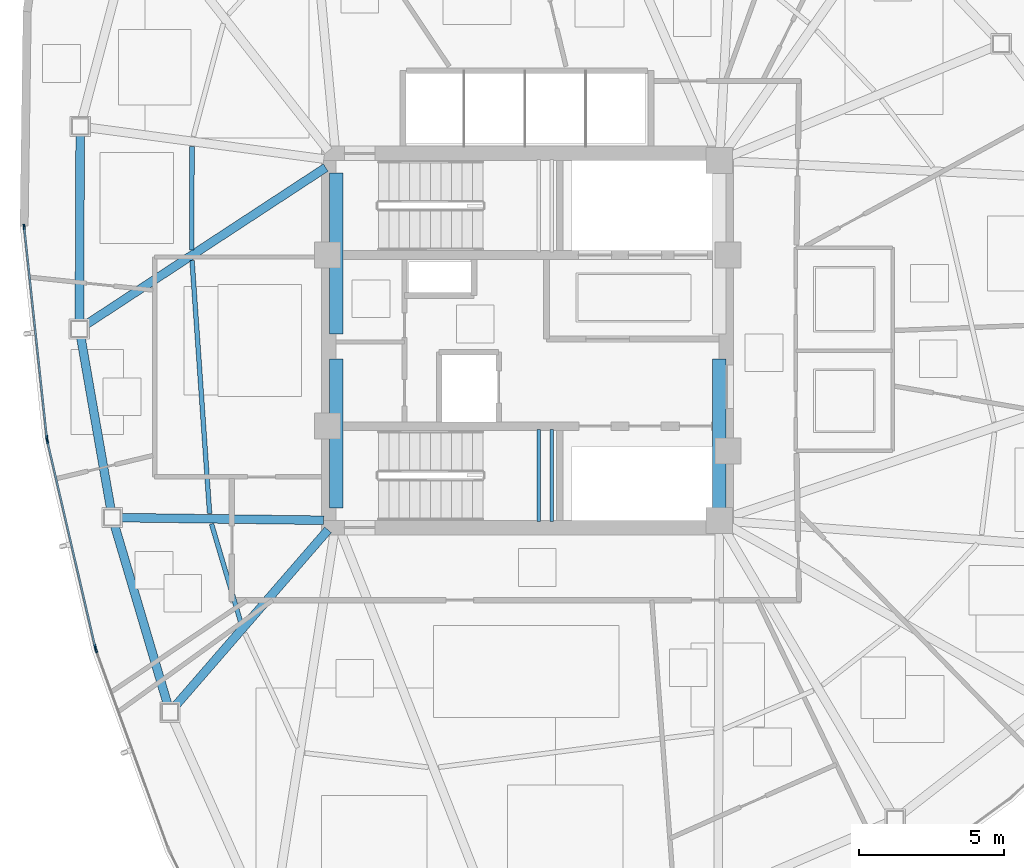
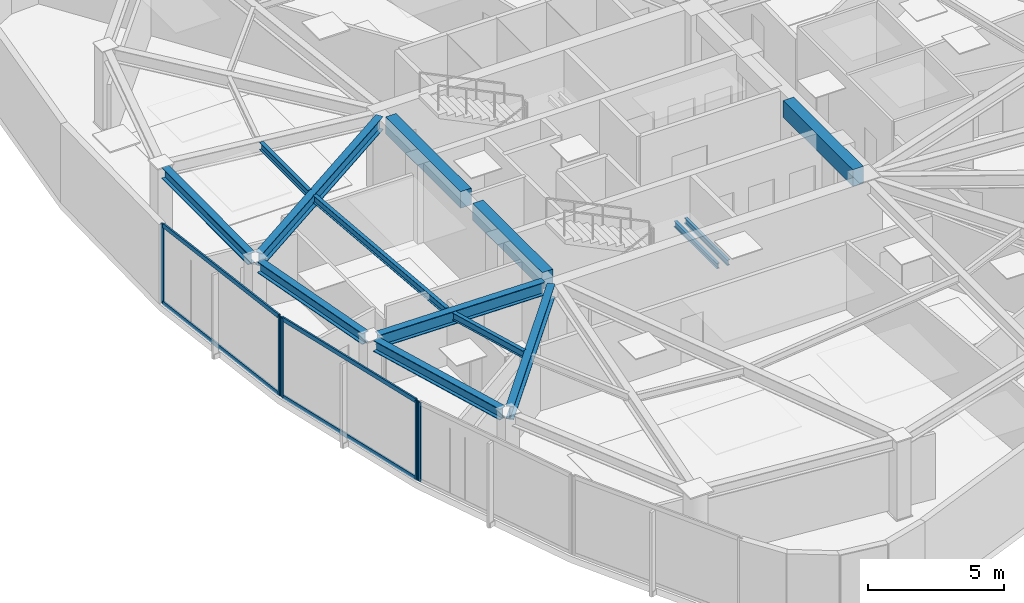
# One storey, part 4 of 17: 14 beams, 9 members, 3 elements without a shape of their own.
"""IFC4 building model written with IfcOpenShell, lengths in metres."""

from ifc_helpers import new_model, si_unit, direction, frame, origin, origin_2d, place, context, subcontext, project, spatial, rectangle, hollow_rectangle, i_section, extrude, source, transform, mapped, material, layer, layer_set, material_profile, profile_set, type_object, type_shapes, element, aggregate, save


model = new_model("IFC4")

# Units and contexts
model_context = context("Model", 3, precision=1e-05, world=origin(), true_north=direction((0.0, 1.0)))
body_context = subcontext(model_context, "Body", "Model", "MODEL_VIEW")
ifc_project = project(units=[si_unit("LENGTHUNIT", "METRE"), si_unit("AREAUNIT", "SQUARE_METRE"), si_unit("VOLUMEUNIT", "CUBIC_METRE"), si_unit("PLANEANGLEUNIT", "RADIAN"), si_unit("MASSUNIT", "GRAM", prefix="KILO")], contexts=[model_context])

# Site, building, storey
site_placement = place(None, origin())
site = spatial("IfcSite", under=ifc_project, at=site_placement, CompositionType="ELEMENT")
building_placement = place(site_placement, origin())
building = spatial("IfcBuilding", under=site, at=building_placement, Name="Tavelor Broadcast Tower", CompositionType="ELEMENT")
storey_placement = place(building_placement, frame((0.0, 0.0, 200.300048828125)))
storey = spatial("IfcBuildingStorey", under=building, at=storey_placement, Name="L48", CompositionType="ELEMENT", Elevation=200.300048828125)

# Beams
ifc_material_1 = material(Name="Concrete C40/50", Category="concrete")
ifc_material_profile_1 = material_profile(ifc_material_1, rectangle(XDim=0.449951171875, YDim=0.75, at=origin_2d()), Name="RC 450x750")
ifc_profile_set_1 = profile_set([ifc_material_profile_1], Name="Concrete C40/50")
beam_type_1 = type_object("IfcBeamType", Name="Basement Core Trim Beam 450x750", PredefinedType="BEAM", material=ifc_profile_set_1)
beam_1_placement = place(storey_placement, frame((43.39990234375, 45.23193359375, 3.175048828125), z_axis=(0.0, 1.0, 0.0), x_axis=(-1.0, 0.0, 0.0)))
element("IfcBeam", 1, at=beam_1_placement, inside=storey, type_object=beam_type_1, Name="L48 Core West-N Tie Girder", PredefinedType="BEAM", context=body_context, shape_type="SweptSolid", body=[
    extrude(rectangle(XDim=0.449951171875, YDim=0.75, at=origin_2d()), origin(), (0.0, 0.0, 1.0), 5.5361328125),
])
for number, where, z_axis, x_axis, name in (
    (2, (43.39990234375, 39.23193359375, 3.175048828125), (0.0, 1.0, 0.0), (-1.0, 0.0, 0.0), "L48 Core West-S Tie Girder"),
    (3, (56.60009765625, 39.23193359375, 3.175048828125), (0.0, 1.0, 0.0), (-1.0, 0.0, 0.0), "L48 Core East-S Tie Girder"),
):
    element("IfcBeam", number, at=place(storey_placement, frame(where, z_axis=z_axis, x_axis=x_axis)), inside=storey, type_object=beam_type_1, Name=name, PredefinedType="BEAM", context=body_context, shape_type="SweptSolid", body=[
        extrude(rectangle(XDim=0.449951171875, YDim=0.75, at=origin_2d()), origin(), (0.0, 0.0, 1.0), 5.135986328125),
    ])
ifc_material_2 = material(Name="Steel S355", Category="steel")
ifc_material_profile_2 = material_profile(ifc_material_2, i_section(OverallWidth=0.159912109375, OverallDepth=0.330078125, WebThickness=0.007568359375, FlangeThickness=0.011474609375, at=origin_2d()), Name="IPE 330")
ifc_profile_set_2 = profile_set([ifc_material_profile_2], Name="Steel S355")
beam_type_2 = type_object("IfcBeamType", Name="Composite Floor Joist T4 IPE 330", PredefinedType="JOIST", material=ifc_profile_set_2)
beam_2_placement = place(storey_placement, frame((38.428955078125, 51.68310546875, 3.385009765625), z_axis=(-0.002943579799, -0.99999566766, 0.0), x_axis=(0.99999566766, -0.002943579799, 0.0)))
element("IfcBeam", 4, at=beam_2_placement, inside=storey, type_object=beam_type_2, Name="L48 Secondary Composite Floor Joist 03", PredefinedType="JOIST", context=body_context, shape_type="SweptSolid", body=[
    extrude(i_section(OverallWidth=0.159912109375, OverallDepth=0.330078125, WebThickness=0.007568359375, FlangeThickness=0.011474609375, at=origin_2d()), origin(), (0.0, 0.0, 1.0), 3.56640625),
])
beam_3_placement = place(storey_placement, frame((38.430419921875, 47.755126953125, 3.385009765625), z_axis=(0.069281460066, -0.997597152808, 0.0), x_axis=(0.997597152808, 0.069281460066, 0.0)))
element("IfcBeam", 5, at=beam_3_placement, inside=storey, type_object=beam_type_2, Name="L48 Secondary Composite Floor Joist 04", PredefinedType="JOIST", context=body_context, shape_type="SweptSolid", body=[
    extrude(i_section(OverallWidth=0.159912109375, OverallDepth=0.330078125, WebThickness=0.007568359375, FlangeThickness=0.011474609375, at=origin_2d()), origin(), (0.0, 0.0, 1.0), 8.7392578125),
])
beam_4_placement = place(storey_placement, frame((39.10009765625, 38.682861328125, 3.385009765625), z_axis=(0.284738295298, -0.958605290613, 0.0), x_axis=(0.958605290613, 0.284738295298, 0.0)))
element("IfcBeam", 6, at=beam_4_placement, inside=storey, type_object=beam_type_2, Name="L48 Secondary Composite Floor Joist 05", PredefinedType="JOIST", context=body_context, shape_type="SweptSolid", body=[
    extrude(i_section(OverallWidth=0.159912109375, OverallDepth=0.330078125, WebThickness=0.007568359375, FlangeThickness=0.011474609375, at=origin_2d()), origin(), (0.0, 0.0, 1.0), 3.58056640625),
])
ifc_material_profile_3 = material_profile(ifc_material_2, i_section(OverallWidth=0.300048828125, OverallDepth=0.5, WebThickness=0.014404296875, FlangeThickness=0.028076171875, at=origin_2d()), Name="HEB 500")
ifc_profile_set_3 = profile_set([ifc_material_profile_3], Name="Steel S355")
beam_type_3 = type_object("IfcBeamType", Name="Perimeter Spandrel Beam T4 HEB 500", PredefinedType="SPANDREL", material=ifc_profile_set_3)
beam_5_placement = place(storey_placement, frame((34.573974609375, 52.09130859375, 3.300048828125), z_axis=(-0.004117073981, -0.999991524815, 0.0), x_axis=(0.999991524815, -0.004117073981, 0.0)))
element("IfcBeam", 7, at=beam_5_placement, inside=storey, type_object=beam_type_3, Name="L48 Framed-Tube Ring Spandrel 03", PredefinedType="SPANDREL", context=body_context, shape_type="SweptSolid", body=[
    extrude(i_section(OverallWidth=0.300048828125, OverallDepth=0.5, WebThickness=0.014404296875, FlangeThickness=0.028076171875, at=origin_2d()), origin(), (0.0, 0.0, 1.0), 6.404296875),
])
beam_6_placement = place(storey_placement, frame((34.595947265625, 45.115478515625, 3.300048828125), z_axis=(0.171987908601, -0.985099060651, 0.0), x_axis=(0.985099060651, 0.171987908601, 0.0)))
element("IfcBeam", 8, at=beam_6_placement, inside=storey, type_object=beam_type_3, Name="L48 Framed-Tube Ring Spandrel 04", PredefinedType="SPANDREL", context=body_context, shape_type="SweptSolid", body=[
    extrude(i_section(OverallWidth=0.300048828125, OverallDepth=0.5, WebThickness=0.014404296875, FlangeThickness=0.028076171875, at=origin_2d()), origin(), (0.0, 0.0, 1.0), 6.021728515625),
])
beam_7_placement = place(storey_placement, frame((35.7626953125, 38.623779296875, 3.300048828125), z_axis=(0.283962764381, -0.958835308301, 0.0), x_axis=(0.958835308301, 0.283962764381, 0.0)))
element("IfcBeam", 9, at=beam_7_placement, inside=storey, type_object=beam_type_3, Name="L48 Framed-Tube Ring Spandrel 05", PredefinedType="SPANDREL", context=body_context, shape_type="SweptSolid", body=[
    extrude(i_section(OverallWidth=0.300048828125, OverallDepth=0.5, WebThickness=0.014404296875, FlangeThickness=0.028076171875, at=origin_2d()), origin(), (0.0, 0.0, 1.0), 6.421630859375),
])
ifc_material_profile_4 = material_profile(ifc_material_2, i_section(OverallWidth=0.300048828125, OverallDepth=0.590087890625, WebThickness=0.012939453125, FlangeThickness=0.02490234375, at=origin_2d()), Name="HEA 600")
ifc_profile_set_4 = profile_set([ifc_material_profile_4], Name="Steel S355")
beam_type_4 = type_object("IfcBeamType", Name="Radial Floor Girder T4 HEA 600", PredefinedType="BEAM", material=ifc_profile_set_4)
beam_8_placement = place(storey_placement, frame((43.038818359375, 50.963134765625, 3.2548828125), z_axis=(-0.83645565271, -0.548034616652, 0.0), x_axis=(0.548034616652, -0.83645565271, 0.0)))
element("IfcBeam", 10, at=beam_8_placement, inside=storey, type_object=beam_type_4, Name="L48 Radial Primary Floor Girder 04", PredefinedType="BEAM", context=body_context, shape_type="SweptSolid", body=[
    extrude(i_section(OverallWidth=0.300048828125, OverallDepth=0.590087890625, WebThickness=0.012939453125, FlangeThickness=0.02490234375, at=origin_2d()), origin(), (0.0, 0.0, 1.0), 9.86474609375),
])
beam_9_placement = place(storey_placement, frame((42.968017578125, 38.8056640625, 3.2548828125), z_axis=(-0.99991627243, 0.012940175006, 0.0), x_axis=(-0.012940175006, -0.99991627243, 0.0)))
element("IfcBeam", 11, at=beam_9_placement, inside=storey, type_object=beam_type_4, Name="L48 Radial Primary Floor Girder 05", PredefinedType="BEAM", context=body_context, shape_type="SweptSolid", body=[
    extrude(i_section(OverallWidth=0.300048828125, OverallDepth=0.590087890625, WebThickness=0.012939453125, FlangeThickness=0.02490234375, at=origin_2d()), origin(), (0.0, 0.0, 1.0), 6.99951171875),
])
beam_10_placement = place(storey_placement, frame((43.116943359375, 38.4736328125, 3.2548828125), z_axis=(-0.655167826376, -0.755483367972, 0.0), x_axis=(0.755483367972, -0.655167826376, 0.0)))
element("IfcBeam", 12, at=beam_10_placement, inside=storey, type_object=beam_type_4, Name="L48 Radial Primary Floor Girder 06", PredefinedType="BEAM", context=body_context, shape_type="SweptSolid", body=[
    extrude(i_section(OverallWidth=0.300048828125, OverallDepth=0.590087890625, WebThickness=0.012939453125, FlangeThickness=0.02490234375, at=origin_2d()), origin(), (0.0, 0.0, 1.0), 8.02880859375),
])
ifc_material_profile_5 = material_profile(ifc_material_2, i_section(OverallWidth=0.1201171875, OverallDepth=0.239990234375, WebThickness=0.006103515625, FlangeThickness=0.009765625, at=origin_2d()), Name="IPE 240")
ifc_profile_set_5 = profile_set([ifc_material_profile_5], Name="Steel S355")
beam_type_5 = type_object("IfcBeamType", Name="Stairwell Landing Support Trimmer Beam IPE240", PredefinedType="BEAM", material=ifc_profile_set_5)
for number, where, z_axis, x_axis, name in (
    (13, (50.385009765625, 38.760009765625, 1.60986328125), (0.0, 1.0, 0.0), (-1.0, 0.0, 0.0), "L48 Stair Landing Support Beam 343"),
    (14, (50.824951171875, 38.760009765625, 1.60986328125), (0.0, 1.0, 0.0), (-1.0, 0.0, 0.0), "L48 Stair Landing Support Beam 344"),
):
    element("IfcBeam", number, at=place(storey_placement, frame(where, z_axis=z_axis, x_axis=x_axis)), inside=storey, type_object=beam_type_5, Name=name, PredefinedType="BEAM", context=body_context, shape_type="SweptSolid", body=[
        extrude(i_section(OverallWidth=0.1201171875, OverallDepth=0.239990234375, WebThickness=0.006103515625, FlangeThickness=0.009765625, at=origin_2d()), origin(), (0.0, 0.0, 1.0), 3.179931640625),
    ])

# Curtain wall, members
ifc_material_3 = material(Name="Architectural Anodized Aluminium", Category="aluminium")
ifc_layer = layer(ifc_material_3, 0.18994140625)
ifc_layer_set = layer_set([ifc_layer], Name="Architectural Anodized Aluminium")
curtain_wall_type = type_object("IfcCurtainWallType", Name="Tower Mid-Zone Acoustic Curtain Wall CW03", PredefinedType="NOTDEFINED", material=ifc_layer_set)
curtain_wall_1_placement = place(storey_placement, origin())
curtain_wall_1 = element("IfcCurtainWall", 15, at=curtain_wall_1_placement, inside=storey, type_object=curtain_wall_type, Name="L48 Curtain Wall CW03 Run 517", PredefinedType="NOTDEFINED")
ifc_material_profile_6 = material_profile(ifc_material_3, hollow_rectangle(XDim=0.068115234375, YDim=0.18994140625, WallThickness=0.02197265625, at=origin_2d()), Name="RHS 68x190x22")
ifc_profile_set_6 = profile_set([ifc_material_profile_6], Name="Architectural Anodized Aluminium")
member_type_1 = type_object("IfcMemberType", Name="CW03 Extruded Aluminium Mullion 68x190", PredefinedType="MULLION", material=ifc_profile_set_6)
shared_shape_1 = source(origin(), body_context, "Body", "SweptSolid", [
    extrude(hollow_rectangle(XDim=0.068115234375, YDim=0.18994140625, WallThickness=0.02197265625, at=origin_2d()), origin(), (0.0, 0.0, 1.0), 3.550048828125),
])
type_shapes(member_type_1, [shared_shape_1])
member_1_placement = place(storey_placement, frame((32.64404296875, 48.915283203125, 0.0), z_axis=(0.0, 0.0, 1.0), x_axis=(0.994292345451, 0.106689886013, 0.0)))
member_1 = element("IfcMember", 16, at=member_1_placement, type_object=member_type_1, Name="CW03 mullion 1", PredefinedType="MULLION", context=body_context, shape_type="MappedRepresentation", body=[
    mapped(shared_shape_1, transform((0.0, 0.0, 0.0), scale=1.0)),
])
member_2_placement = place(storey_placement, frame((33.4248046875, 41.63720703125, 0.0), z_axis=(0.0, 0.0, 1.0), x_axis=(0.994292345451, 0.106689886013, 0.0)))
member_2 = element("IfcMember", 17, at=member_2_placement, type_object=member_type_1, Name="CW03 mullion 2", PredefinedType="MULLION", context=body_context, shape_type="MappedRepresentation", body=[
    mapped(shared_shape_1, transform((0.0, 0.0, 0.0), scale=1.0)),
])

curtain_wall_2_placement = place(storey_placement, origin())
curtain_wall_2 = element("IfcCurtainWall", 18, at=curtain_wall_2_placement, inside=storey, type_object=curtain_wall_type, Name="L48 Curtain Wall CW03 Run 518", PredefinedType="NOTDEFINED")
member_3_placement = place(storey_placement, frame((33.441162109375, 41.540771484375, 0.0), z_axis=(0.0, 0.0, 1.0), x_axis=(0.974071318338, 0.22624116953, 0.0)))
member_3 = element("IfcMember", 19, at=member_3_placement, type_object=member_type_1, Name="CW03 mullion 1", PredefinedType="MULLION", context=body_context, shape_type="MappedRepresentation", body=[
    mapped(shared_shape_1, transform((0.0, 0.0, 0.0), scale=1.0)),
])
member_4_placement = place(storey_placement, frame((35.09375, 34.425537109375, 0.0), z_axis=(0.0, 0.0, 1.0), x_axis=(0.974071318338, 0.22624116953, 0.0)))
member_4 = element("IfcMember", 20, at=member_4_placement, type_object=member_type_1, Name="CW03 mullion 2", PredefinedType="MULLION", context=body_context, shape_type="MappedRepresentation", body=[
    mapped(shared_shape_1, transform((0.0, 0.0, 0.0), scale=1.0)),
])

# Curtain wall, member
curtain_wall_3_placement = place(storey_placement, origin())
curtain_wall_3 = element("IfcCurtainWall", 21, at=curtain_wall_3_placement, inside=storey, type_object=curtain_wall_type, Name="L48 Curtain Wall CW03 Run 519", PredefinedType="NOTDEFINED")
member_5_placement = place(storey_placement, frame((35.12158203125, 34.331787109375, 0.0), z_axis=(0.0, 0.0, 1.0), x_axis=(0.93954090689, 0.342436686529, 0.0)))
member_5 = element("IfcMember", 22, at=member_5_placement, type_object=member_type_1, Name="CW03 mullion 1", PredefinedType="MULLION", context=body_context, shape_type="MappedRepresentation", body=[
    mapped(shared_shape_1, transform((0.0, 0.0, 0.0), scale=1.0)),
])
aggregate(curtain_wall_3, [member_5])

# Member
ifc_material_profile_7 = material_profile(ifc_material_3, hollow_rectangle(XDim=0.068115234375, YDim=0.18994140625, WallThickness=0.02197265625, at=origin_2d()), Name="RHS 68x190x22")
ifc_profile_set_7 = profile_set([ifc_material_profile_7], Name="Architectural Anodized Aluminium")
member_type_2 = type_object("IfcMemberType", Name="CW03 Extruded Aluminium Transom 68x190", PredefinedType="USERDEFINED", material=ifc_profile_set_7)
shared_shape_2 = source(origin(), body_context, "Body", "SweptSolid", [
    extrude(hollow_rectangle(XDim=0.068115234375, YDim=0.18994140625, WallThickness=0.02197265625, at=origin_2d()), origin(), (0.0, 0.0, 1.0), 7.251953125),
])
member_6_placement = place(storey_placement, frame((32.6474609375, 48.88134765625, 0.033935546875), z_axis=(0.106687654953, -0.994292584846, 0.0), x_axis=(0.994292584846, 0.106687654953, 0.0)))
member_6 = element("IfcMember", 23, at=member_6_placement, type_object=member_type_2, Name="CW03 transom 1.1", ObjectType="TRANSOM", PredefinedType="USERDEFINED", context=body_context, shape_type="MappedRepresentation", body=[
    mapped(shared_shape_2, transform((0.0, 0.0, 0.0), scale=1.0)),
])

member_7_placement = place(storey_placement, frame((32.6474609375, 48.88134765625, 3.515869140625), z_axis=(0.106687654953, -0.994292584846, 0.0), x_axis=(0.994292584846, 0.106687654953, 0.0)))
member_7 = element("IfcMember", 24, at=member_7_placement, type_object=member_type_2, Name="CW03 transom 1.2", ObjectType="TRANSOM", PredefinedType="USERDEFINED", context=body_context, shape_type="MappedRepresentation", body=[
    mapped(shared_shape_2, transform((0.0, 0.0, 0.0), scale=1.0)),
])

aggregate(curtain_wall_1, [member_1, member_2, member_6, member_7])

shared_shape_3 = source(origin(), body_context, "Body", "SweptSolid", [
    extrude(hollow_rectangle(XDim=0.068115234375, YDim=0.18994140625, WallThickness=0.02197265625, at=origin_2d()), origin(), (0.0, 0.0, 1.0), 7.236572265625),
])
type_shapes(member_type_2, [shared_shape_2, shared_shape_3])
member_8_placement = place(storey_placement, frame((33.448974609375, 41.507568359375, 0.033935546875), z_axis=(0.226244035627, -0.974070652644, 0.0), x_axis=(0.974070652644, 0.226244035627, 0.0)))
member_8 = element("IfcMember", 25, at=member_8_placement, type_object=member_type_2, Name="CW03 transom 1.1", ObjectType="TRANSOM", PredefinedType="USERDEFINED", context=body_context, shape_type="MappedRepresentation", body=[
    mapped(shared_shape_3, transform((0.0, 0.0, 0.0), scale=1.0)),
])

member_9_placement = place(storey_placement, frame((33.448974609375, 41.507568359375, 3.515869140625), z_axis=(0.226244035627, -0.974070652644, 0.0), x_axis=(0.974070652644, 0.226244035627, 0.0)))
member_9 = element("IfcMember", 26, at=member_9_placement, type_object=member_type_2, Name="CW03 transom 1.2", ObjectType="TRANSOM", PredefinedType="USERDEFINED", context=body_context, shape_type="MappedRepresentation", body=[
    mapped(shared_shape_3, transform((0.0, 0.0, 0.0), scale=1.0)),
])

aggregate(curtain_wall_2, [member_3, member_4, member_8, member_9])

save(model, "model.ifc")
